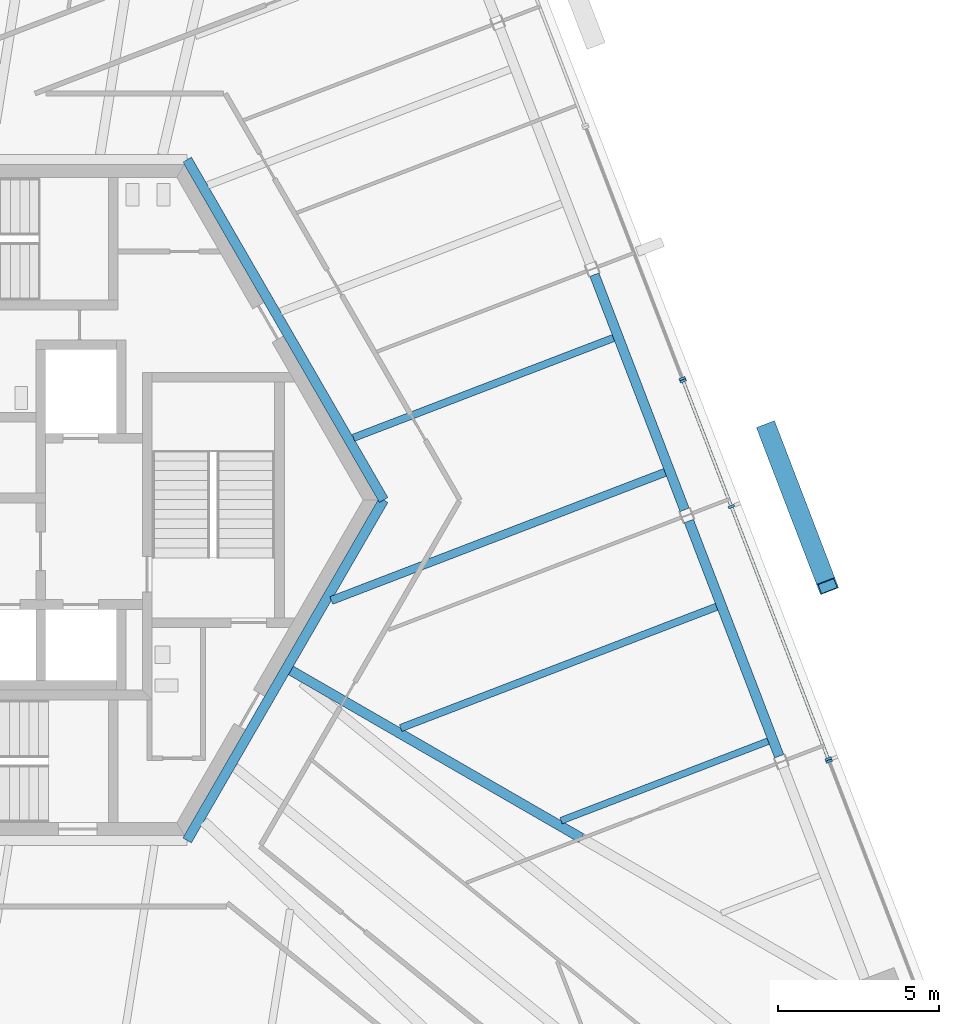
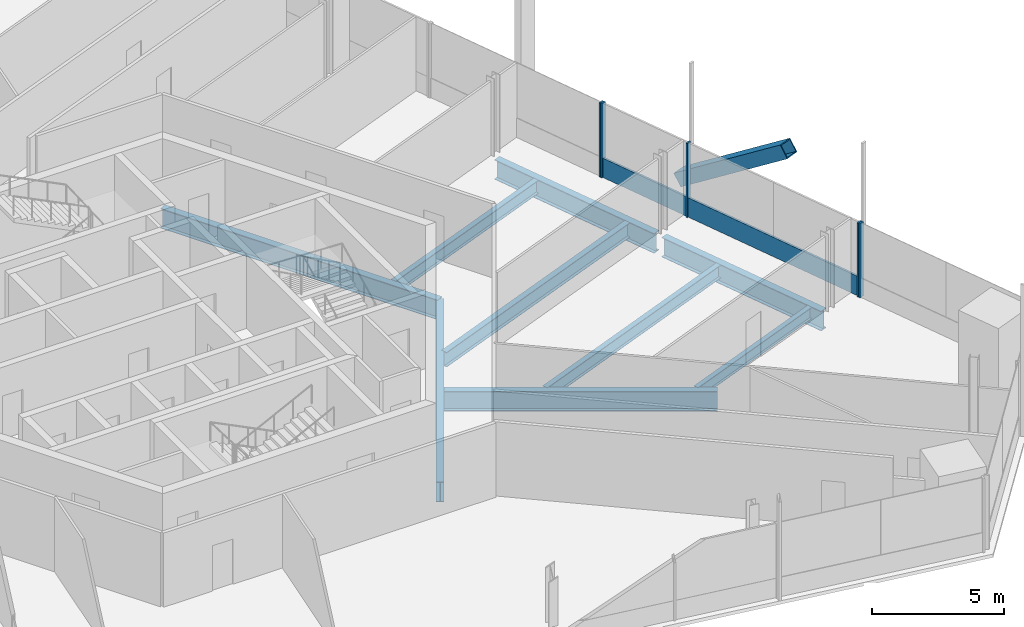
# One storey, part 7 of 21: 9 beams, 8 members, 3 elements without a shape of their own.
"""IFC4 building model written with IfcOpenShell, lengths in metres."""

from ifc_helpers import new_model, si_unit, direction, frame, origin, origin_2d, place, context, subcontext, project, spatial, rectangle, hollow_rectangle, i_section, extrude, source, transform, mapped, material, material_profile, profile_set, type_object, element, aggregate, save


model = new_model("IFC4")

# Units and contexts
model_context = context("Model", 3, precision=1e-05, world=origin(), true_north=direction((0.0, 1.0)))
body_context = subcontext(model_context, "Body", "Model", "MODEL_VIEW")
ifc_project = project(units=[si_unit("LENGTHUNIT", "METRE"), si_unit("AREAUNIT", "SQUARE_METRE"), si_unit("VOLUMEUNIT", "CUBIC_METRE"), si_unit("PLANEANGLEUNIT", "RADIAN"), si_unit("MASSUNIT", "GRAM", prefix="KILO")], contexts=[model_context])

# Site, building, storey
site_placement = place(None, origin())
site = spatial("IfcSite", under=ifc_project, at=site_placement, CompositionType="ELEMENT")
building_placement = place(site_placement, origin())
building = spatial("IfcBuilding", under=site, at=building_placement, Name="Triune Harvest Tower", CompositionType="ELEMENT")
storey_placement = place(building_placement, frame((0.0, 0.0, 160.5)))
storey = spatial("IfcBuildingStorey", under=building, at=storey_placement, Name="L41", CompositionType="ELEMENT", Elevation=160.5)

# Beams
ifc_material_1 = material(Name="Steel ASTM A992 Gr 50", Category="steel")
ifc_material_profile_1 = material_profile(ifc_material_1, i_section(OverallWidth=0.3046875, OverallDepth=0.914306640625, WebThickness=0.0166015625, FlangeThickness=0.02587890625, at=origin_2d()), Name="W36x160")
ifc_profile_set_1 = profile_set([ifc_material_profile_1], Name="Steel ASTM A992 Gr 50")
beam_type_1 = type_object("IfcBeamType", Name="CG-1 Core ring girder W36x160", PredefinedType="BEAM", material=ifc_profile_set_1)
shared_shape_1 = source(origin(), body_context, "Body", "SweptSolid", [
    extrude(i_section(OverallWidth=0.3046875, OverallDepth=0.914306640625, WebThickness=0.0166015625, FlangeThickness=0.02587890625, at=origin_2d()), origin(), (0.0, 0.0, 1.0), 12.176025390625),
])
for number, where, z_axis, x_axis, name in (
    (1, (12.176025390625, 0.0, -0.6171875), (-0.5000099932, 0.866019634131, 0.0), (-0.866019634131, -0.5000099932, 0.0), "beam/L41/CG1"),
    (2, (6.087890625, -10.544677734375, -0.6171875), (0.5000099932, 0.866019634131, 0.0), (-0.866019634131, 0.5000099932, 0.0), "beam/L41/CG6"),
):
    element("IfcBeam", number, at=place(storey_placement, frame(where, z_axis=z_axis, x_axis=x_axis)), inside=storey, type_object=beam_type_1, Name=name, PredefinedType="BEAM", context=body_context, shape_type="MappedRepresentation", body=[
        mapped(shared_shape_1, transform((0.0, 0.0, 0.0), scale=1.0)),
    ])
ifc_material_2 = material(Name="Steel ASTM A992 Gr 50", Category="steel")
ifc_material_profile_2 = material_profile(ifc_material_2, i_section(OverallWidth=0.307373046875, OverallDepth=0.922119140625, WebThickness=0.018310546875, FlangeThickness=0.030029296875, at=origin_2d()), Name="W36x182")
ifc_profile_set_2 = profile_set([ifc_material_profile_2], Name="Steel ASTM A992 Gr 50")
beam_type_2 = type_object("IfcBeamType", Name="HG-2 Hip girder W36x182", PredefinedType="BEAM", material=ifc_profile_set_2)
shared_shape_2 = source(origin(), body_context, "Body", "SweptSolid", [
    extrude(i_section(OverallWidth=0.307373046875, OverallDepth=0.922119140625, WebThickness=0.018310546875, FlangeThickness=0.030029296875, at=origin_2d()), origin(), (0.0, 0.0, 1.0), 10.38623046875),
])
beam_1_placement = place(storey_placement, frame((18.29833984375, -10.47314453125, -0.62109375), z_axis=(-0.866022743272, 0.500004608114, 0.0), x_axis=(-0.500004608114, -0.866022743272, 0.0)))
element("IfcBeam", 3, at=beam_1_placement, inside=storey, type_object=beam_type_2, Name="beam/L41/HG2", PredefinedType="BEAM", context=body_context, shape_type="MappedRepresentation", body=[
    mapped(shared_shape_2, transform((0.0, 0.0, 0.0), scale=1.0)),
])
ifc_material_3 = material(Name="Steel ASTM A992 Gr 50", Category="steel")
ifc_material_profile_3 = material_profile(ifc_material_3, i_section(OverallWidth=0.3046875, OverallDepth=0.914306640625, WebThickness=0.0166015625, FlangeThickness=0.02587890625, at=origin_2d()), Name="W36x160")
ifc_profile_set_3 = profile_set([ifc_material_profile_3], Name="Steel ASTM A992 Gr 50")
beam_type_3 = type_object("IfcBeamType", Name="SB-1 Spandrel beam W36x160", PredefinedType="SPANDREL", material=ifc_profile_set_3)
shared_shape_3 = source(origin(), body_context, "Body", "SweptSolid", [
    extrude(i_section(OverallWidth=0.3046875, OverallDepth=0.914306640625, WebThickness=0.0166015625, FlangeThickness=0.02587890625, at=origin_2d()), origin(), (0.0, 0.0, 1.0), 7.8017578125),
])
for number, where, z_axis, x_axis, name in (
    (4, (24.428466796875, -7.93603515625, -0.6171875), (-0.358372974677, 0.933578497514, 0.0), (-0.933578497514, -0.358372974677, 0.0), "beam/L41/SB2"),
    (5, (21.498779296875, -0.303955078125, -0.6171875), (-0.358372974677, 0.933578497514, 0.0), (-0.933578497514, -0.358372974677, 0.0), "beam/L41/SB3"),
):
    element("IfcBeam", number, at=place(storey_placement, frame(where, z_axis=z_axis, x_axis=x_axis)), inside=storey, type_object=beam_type_3, Name=name, PredefinedType="SPANDREL", context=body_context, shape_type="MappedRepresentation", body=[
        mapped(shared_shape_3, transform((0.0, 0.0, 0.0), scale=1.0)),
    ])
ifc_material_4 = material(Name="Steel ASTM A992 Gr 50", Category="steel")
ifc_material_profile_4 = material_profile(ifc_material_4, i_section(OverallWidth=0.2099609375, OverallDepth=0.535888671875, WebThickness=0.010986328125, FlangeThickness=0.017333984375, at=origin_2d()), Name="W21x68")
ifc_profile_set_4 = profile_set([ifc_material_profile_4], Name="Steel ASTM A992 Gr 50")
beam_type_4 = type_object("IfcBeamType", Name="JT-2 Floor joist W21x68", PredefinedType="JOIST", material=ifc_profile_set_4)
shared_shape_4 = source(origin(), body_context, "Body", "SweptSolid", [
    extrude(i_section(OverallWidth=0.2099609375, OverallDepth=0.535888671875, WebThickness=0.010986328125, FlangeThickness=0.017333984375, at=origin_2d()), origin(), (0.0, 0.0, 1.0), 6.871826171875),
])
beam_2_placement = place(storey_placement, frame((24.086669921875, -7.47119140625, -0.427978515625), z_axis=(-0.933577992689, -0.358374289769, 0.0), x_axis=(0.358374289769, -0.933577992689, 0.0)))
element("IfcBeam", 6, at=beam_2_placement, inside=storey, type_object=beam_type_4, Name="beam/L41/JT2", PredefinedType="JOIST", context=body_context, shape_type="MappedRepresentation", body=[
    mapped(shared_shape_4, transform((0.0, 0.0, 0.0), scale=1.0)),
])
ifc_material_5 = material(Name="Steel ASTM A992 Gr 50", Category="steel")
ifc_material_profile_5 = material_profile(ifc_material_5, i_section(OverallWidth=0.22900390625, OverallDepth=0.612060546875, WebThickness=0.011962890625, FlangeThickness=0.01953125, at=origin_2d()), Name="W24x84")
ifc_profile_set_5 = profile_set([ifc_material_profile_5], Name="Steel ASTM A992 Gr 50")
beam_type_5 = type_object("IfcBeamType", Name="JT-3 Floor joist W24x84", PredefinedType="JOIST", material=ifc_profile_set_5)
shared_shape_5 = source(origin(), body_context, "Body", "SweptSolid", [
    extrude(i_section(OverallWidth=0.22900390625, OverallDepth=0.612060546875, WebThickness=0.011962890625, FlangeThickness=0.01953125, at=origin_2d()), origin(), (0.0, 0.0, 1.0), 10.482666015625),
])
beam_3_placement = place(storey_placement, frame((22.48876953125, -3.30810546875, -0.466064453125), z_axis=(-0.933574113636, -0.358384394677, 0.0), x_axis=(0.358384394677, -0.933574113636, 0.0)))
element("IfcBeam", 7, at=beam_3_placement, inside=storey, type_object=beam_type_5, Name="beam/L41/JT3", PredefinedType="JOIST", context=body_context, shape_type="MappedRepresentation", body=[
    mapped(shared_shape_5, transform((0.0, 0.0, 0.0), scale=1.0)),
])
ifc_material_6 = material(Name="Steel ASTM A992 Gr 50", Category="steel")
ifc_material_profile_6 = material_profile(ifc_material_6, i_section(OverallWidth=0.253662109375, OverallDepth=0.683349609375, WebThickness=0.012451171875, FlangeThickness=0.01904296875, at=origin_2d()), Name="W27x94")
ifc_profile_set_6 = profile_set([ifc_material_profile_6], Name="Steel ASTM A992 Gr 50")
beam_type_6 = type_object("IfcBeamType", Name="JT-4 Floor joist W27x94", PredefinedType="JOIST", material=ifc_profile_set_6)
shared_shape_6 = source(origin(), body_context, "Body", "SweptSolid", [
    extrude(i_section(OverallWidth=0.253662109375, OverallDepth=0.683349609375, WebThickness=0.012451171875, FlangeThickness=0.01904296875, at=origin_2d()), origin(), (0.0, 0.0, 1.0), 11.071533203125),
])
beam_4_placement = place(storey_placement, frame((20.890869140625, 0.854736328125, -0.501708984375), z_axis=(-0.933585234032, -0.358355425237, 0.0), x_axis=(0.358355425237, -0.933585234032, 0.0)))
element("IfcBeam", 8, at=beam_4_placement, inside=storey, type_object=beam_type_6, Name="beam/L41/JT4", PredefinedType="JOIST", context=body_context, shape_type="MappedRepresentation", body=[
    mapped(shared_shape_6, transform((0.0, 0.0, 0.0), scale=1.0)),
])
shared_shape_7 = source(origin(), body_context, "Body", "SweptSolid", [
    extrude(i_section(OverallWidth=0.22900390625, OverallDepth=0.612060546875, WebThickness=0.011962890625, FlangeThickness=0.01953125, at=origin_2d()), origin(), (0.0, 0.0, 1.0), 8.625732421875),
])
beam_5_placement = place(storey_placement, frame((19.292724609375, 5.017578125, -0.466064453125), z_axis=(-0.933587577512, -0.35834931996, 0.0), x_axis=(0.35834931996, -0.933587577512, 0.0)))
element("IfcBeam", 9, at=beam_5_placement, inside=storey, type_object=beam_type_5, Name="beam/L41/JT5", PredefinedType="JOIST", context=body_context, shape_type="MappedRepresentation", body=[
    mapped(shared_shape_7, transform((0.0, 0.0, 0.0), scale=1.0)),
])

# Member
ifc_material_7 = material(Name="Steel ASTM A572 Gr 50", Category="steel")
ifc_material_profile_7 = material_profile(ifc_material_7, hollow_rectangle(XDim=0.60009765625, YDim=0.60009765625, WallThickness=0.0400390625, at=origin_2d()), Name="Box 600x600x40")
ifc_profile_set_7 = profile_set([ifc_material_profile_7], Name="Steel ASTM A572 Gr 50")
member_type_1 = type_object("IfcMemberType", Name="BR-2 Brace Box 600x600x40", PredefinedType="BRACE", material=ifc_profile_set_7)
shared_shape_8 = source(origin(), body_context, "Body", "SweptSolid", [
    extrude(hollow_rectangle(XDim=0.60009765625, YDim=0.60009765625, WallThickness=0.0400390625, at=origin_2d()), origin(), (0.0, 0.0, 1.0), 6.3291015625),
])
member_1_placement = place(storey_placement, frame((24.063720703125, 2.19091796875, 0.0), z_axis=(0.294740818173, -0.767845926784, 0.568806190915), x_axis=(0.933583525139, 0.358359877202, 0.0)))
element("IfcMember", 10, at=member_1_placement, inside=storey, type_object=member_type_1, Name="brace/B4-F1/d2/7", PredefinedType="BRACE", context=body_context, shape_type="MappedRepresentation", body=[
    mapped(shared_shape_8, transform((0.0, 0.0, 0.0), scale=1.0)),
])

# Curtain wall, member
ifc_material_8 = material(Name="Aluminium bronze anodised", Category="aluminium")
curtain_wall_type_1 = type_object("IfcCurtainWallType", Name="CW-1 Tower stick curtain wall", PredefinedType="NOTDEFINED", material=ifc_material_8)
curtain_wall_1_placement = place(storey_placement, origin())
curtain_wall_1 = element("IfcCurtainWall", 11, at=curtain_wall_1_placement, inside=storey, type_object=curtain_wall_type_1, Name="CW-1 B4-F1 L41 run 1")
ifc_material_9 = material(Name="Aluminium bronze anodised", Category="aluminium")
ifc_material_profile_8 = material_profile(ifc_material_9, rectangle(XDim=0.199951171875, YDim=0.074951171875, at=origin_2d()), Name="MU-1 mullion 75 x 200")
ifc_profile_set_8 = profile_set([ifc_material_profile_8], Name="Aluminium bronze anodised")
member_type_2 = type_object("IfcMemberType", Name="MU-1 mullion 75 x 200", PredefinedType="MULLION", material=ifc_profile_set_8)
shared_shape_9 = source(origin(), body_context, "Body", "SweptSolid", [
    extrude(rectangle(XDim=0.199951171875, YDim=0.074951171875, at=origin_2d()), origin(), (0.0, 0.0, 1.0), 3.43994140625),
])
member_2_placement = place(storey_placement, frame((25.975341796875, -8.0908203125, 0.0), z_axis=(0.0, 0.0, 1.0), x_axis=(-0.933577281141, -0.35837614337, 0.0)))
member_2 = element("IfcMember", 12, at=member_2_placement, type_object=member_type_2, Name="CW-1 mullion B4-F1 1.3", PredefinedType="MULLION", context=body_context, shape_type="MappedRepresentation", body=[
    mapped(shared_shape_9, transform((0.0, 0.0, 0.0), scale=1.0)),
])
aggregate(curtain_wall_1, [member_2])

# Curtain wall, members
ifc_material_10 = material(Name="Aluminium bronze anodised", Category="aluminium")
curtain_wall_type_2 = type_object("IfcCurtainWallType", Name="CW-7 Tower stick curtain wall with insulated spandrel infill", PredefinedType="NOTDEFINED", material=ifc_material_10)
curtain_wall_2_placement = place(storey_placement, origin())
curtain_wall_2 = element("IfcCurtainWall", 13, at=curtain_wall_2_placement, inside=storey, type_object=curtain_wall_type_2, Name="CW-7 B4-F1 L41 run 1001")
member_3_placement = place(storey_placement, frame((25.948486328125, -8.020751953125, 0.0), z_axis=(0.0, 0.0, 1.0), x_axis=(-0.933581314499, -0.358365636212, 0.0)))
member_3 = element("IfcMember", 14, at=member_3_placement, type_object=member_type_2, Name="CW-7 mullion B4-F1 1001.1", PredefinedType="MULLION", context=body_context, shape_type="MappedRepresentation", body=[
    mapped(shared_shape_9, transform((0.0, 0.0, 0.0), scale=1.0)),
])
member_4_placement = place(storey_placement, frame((22.947265625, -0.2021484375, 0.0), z_axis=(0.0, 0.0, 1.0), x_axis=(-0.933581314499, -0.358365636212, 0.0)))
member_4 = element("IfcMember", 15, at=member_4_placement, type_object=member_type_2, Name="CW-7 mullion B4-F1 1001.3", PredefinedType="MULLION", context=body_context, shape_type="MappedRepresentation", body=[
    mapped(shared_shape_9, transform((0.0, 0.0, 0.0), scale=1.0)),
])
member_5_placement = place(storey_placement, frame((21.453369140625, 3.689697265625, 0.0), z_axis=(0.0, 0.0, 1.0), x_axis=(-0.933581314499, -0.358365636212, 0.0)))
member_5 = element("IfcMember", 16, at=member_5_placement, type_object=member_type_2, Name="CW-7 mullion B4-F1 1001.4", PredefinedType="MULLION", context=body_context, shape_type="MappedRepresentation", body=[
    mapped(shared_shape_9, transform((0.0, 0.0, 0.0), scale=1.0)),
])

# Curtain wall, member
curtain_wall_3_placement = place(storey_placement, origin())
curtain_wall_3 = element("IfcCurtainWall", 17, at=curtain_wall_3_placement, inside=storey, type_object=curtain_wall_type_1, Name="CW-1 B4-F1 L41 run 2001")
member_6_placement = place(storey_placement, frame((21.426513671875, 3.759521484375, 0.0), z_axis=(0.0, 0.0, 1.0), x_axis=(-0.933581006576, -0.358366438386, 0.0)))
member_6 = element("IfcMember", 18, at=member_6_placement, type_object=member_type_2, Name="CW-1 mullion B4-F1 2001.1", PredefinedType="MULLION", context=body_context, shape_type="MappedRepresentation", body=[
    mapped(shared_shape_9, transform((0.0, 0.0, 0.0), scale=1.0)),
])
aggregate(curtain_wall_3, [member_6])

# Member
ifc_material_11 = material(Name="Aluminium bronze anodised", Category="aluminium")
ifc_material_profile_9 = material_profile(ifc_material_11, rectangle(XDim=0.090087890625, YDim=0.89990234375, at=origin_2d()), Name="TR-1 transom 90 x 900")
ifc_profile_set_9 = profile_set([ifc_material_profile_9], Name="Aluminium bronze anodised")
member_type_3 = type_object("IfcMemberType", Name="TR-1 transom 90 x 900", PredefinedType="USERDEFINED", material=ifc_profile_set_9)
shared_shape_10 = source(origin(), body_context, "Body", "SweptSolid", [
    extrude(rectangle(XDim=0.090087890625, YDim=0.89990234375, at=origin_2d()), origin(), (0.0, 0.0, 1.0), 8.2998046875),
])
member_7_placement = place(storey_placement, frame((25.93505859375, -7.985595703125, 0.449951171875), z_axis=(-0.35836598202, 0.933581181757, 0.0), x_axis=(-0.933581181757, -0.35836598202, 0.0)))
member_7 = element("IfcMember", 19, at=member_7_placement, type_object=member_type_3, Name="CW-7 transom B4-F1 1001.1", ObjectType="TRANSOM", PredefinedType="USERDEFINED", context=body_context, shape_type="MappedRepresentation", body=[
    mapped(shared_shape_10, transform((0.0, 0.0, 0.0), scale=1.0)),
])

shared_shape_11 = source(origin(), body_context, "Body", "SweptSolid", [
    extrude(rectangle(XDim=0.090087890625, YDim=0.89990234375, at=origin_2d()), origin(), (0.0, 0.0, 1.0), 4.09375),
])
member_8_placement = place(storey_placement, frame((22.933837890625, -0.167236328125, 0.449951171875), z_axis=(-0.358367554272, 0.933580578228, 0.0), x_axis=(-0.933580578228, -0.358367554272, 0.0)))
member_8 = element("IfcMember", 20, at=member_8_placement, type_object=member_type_3, Name="CW-7 transom B4-F1 1001.2", ObjectType="TRANSOM", PredefinedType="USERDEFINED", context=body_context, shape_type="MappedRepresentation", body=[
    mapped(shared_shape_11, transform((0.0, 0.0, 0.0), scale=1.0)),
])

aggregate(curtain_wall_2, [member_3, member_4, member_5, member_7, member_8])

save(model, "model.ifc")
